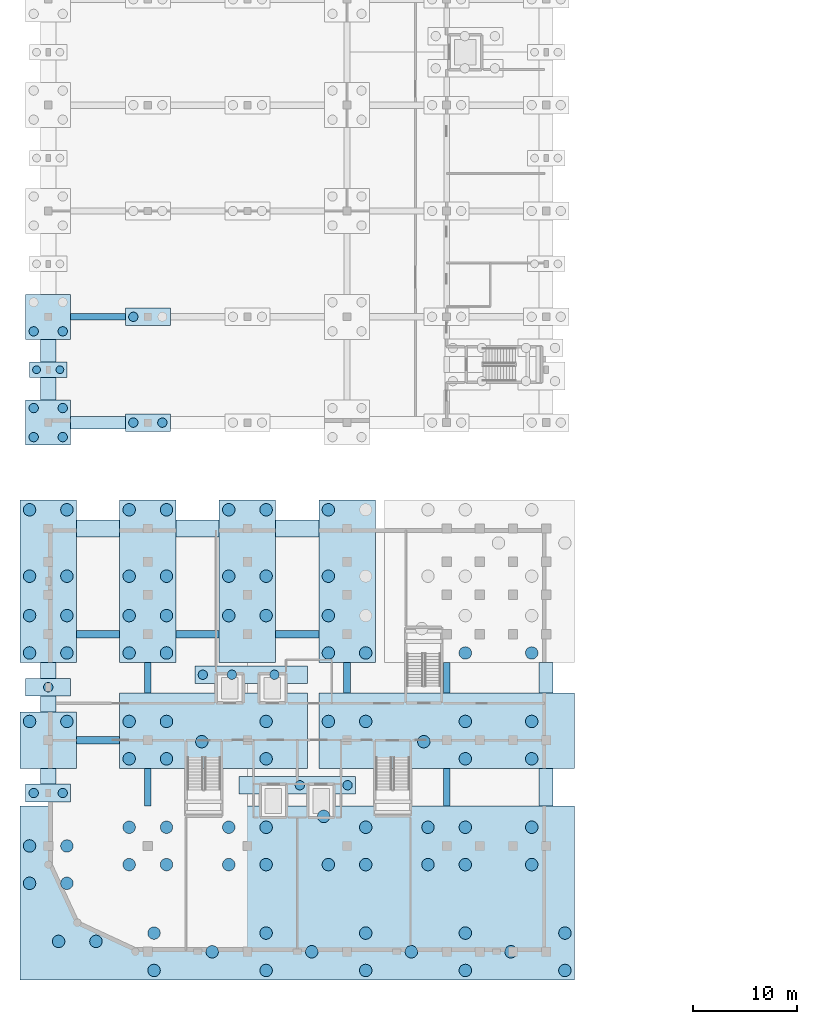
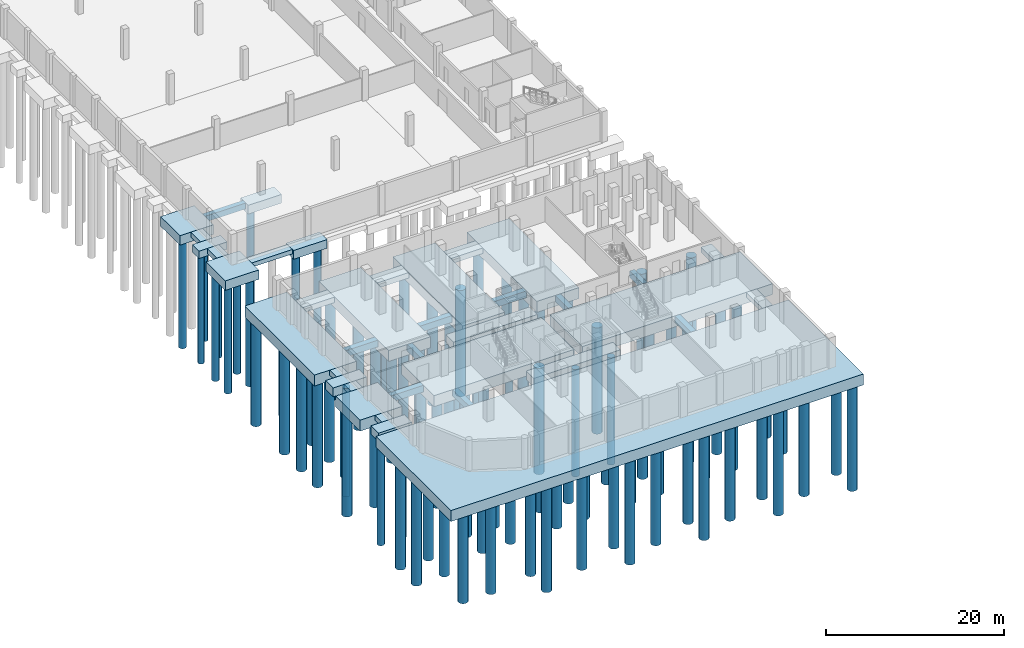
# One storey, part 1 of 18: 102 piles, 38 footings.
"""IFC4 building model written with IfcOpenShell, lengths in metres."""

from ifc_helpers import new_model, si_unit, direction, frame, origin, origin_2d, place, context, subcontext, project, spatial, polyline, rectangle, circle, outline, extrude, material, material_profile, profile_set, type_object, element, save


model = new_model("IFC4")

# Units and contexts
model_context = context("Model", 3, precision=1e-05, world=origin(), true_north=direction((0.0, 1.0)))
body_context = subcontext(model_context, "Body", "Model", "MODEL_VIEW")
ifc_project = project(units=[si_unit("LENGTHUNIT", "METRE"), si_unit("AREAUNIT", "SQUARE_METRE"), si_unit("VOLUMEUNIT", "CUBIC_METRE"), si_unit("PLANEANGLEUNIT", "RADIAN"), si_unit("MASSUNIT", "GRAM", prefix="KILO")], contexts=[model_context])

# Site, building, storey
site_placement = place(None, origin())
site = spatial("IfcSite", under=ifc_project, at=site_placement, CompositionType="ELEMENT")
building_placement = place(site_placement, origin())
building = spatial("IfcBuilding", under=site, at=building_placement, Name="Vondelvale Polytechnic", CompositionType="ELEMENT")
storey_placement = place(building_placement, frame((0.0, 0.0, -4.199951171875)))
storey = spatial("IfcBuildingStorey", under=building, at=storey_placement, Name="B1", CompositionType="ELEMENT", Elevation=-4.199951171875)

# Footings
ifc_material = material(Name="Concrete N40 (f'c = 40 MPa)", Category="concrete")
footing_type_1 = type_object("IfcFootingType", Name="GB-600x800", PredefinedType="FOOTING_BEAM", material=ifc_material)
footing_1_placement = place(storey_placement, frame((0.0, 0.0, -1.199951171875)))
element("IfcFooting", 1, at=footing_1_placement, inside=storey, type_object=footing_type_1, Name="Ground tie beam GB-001", PredefinedType="FOOTING_BEAM", context=body_context, shape_type="SweptSolid", body=[
    extrude(outline(polyline([(2.169921875, 60.89990234375), (2.169921875, 61.5), (7.429931640625, 61.5), (7.429931640625, 60.89990234375), (2.169921875, 60.89990234375)])), origin(), (0.0, 0.0, 1.0), 0.7998046875),
])
footing_type_2 = type_object("IfcFootingType", Name="GB-650x850", PredefinedType="FOOTING_BEAM", material=ifc_material)
footing_2_placement = place(storey_placement, frame((0.0, 0.0, -1.25)))
element("IfcFooting", 2, at=footing_2_placement, inside=storey, type_object=footing_type_2, Name="Ground tie beam GB-054", PredefinedType="FOOTING_BEAM", context=body_context, shape_type="SweptSolid", body=[
    extrude(outline(polyline([(9.925048828125, 14.050048828125), (9.27490234375, 14.050048828125), (9.27490234375, 17.679931640625), (9.925048828125, 17.679931640625), (9.925048828125, 14.050048828125)])), origin(), (0.0, 0.0, 1.0), 0.849853515625),
])
footing_3_placement = place(storey_placement, frame((0.0, 0.0, -1.25)))
element("IfcFooting", 3, at=footing_3_placement, inside=storey, type_object=footing_type_2, Name="Ground tie beam GB-055", PredefinedType="FOOTING_BEAM", context=body_context, shape_type="SweptSolid", body=[
    extrude(outline(polyline([(9.925048828125, 24.949951171875), (9.27490234375, 24.949951171875), (9.27490234375, 27.8798828125), (9.925048828125, 27.8798828125), (9.925048828125, 24.949951171875)])), origin(), (0.0, 0.0, 1.0), 0.849853515625),
])
footing_4_placement = place(storey_placement, frame((0.0, 0.0, -1.25)))
element("IfcFooting", 4, at=footing_4_placement, inside=storey, type_object=footing_type_2, Name="Ground tie beam GB-056", PredefinedType="FOOTING_BEAM", context=body_context, shape_type="SweptSolid", body=[
    extrude(outline(polyline([(29.125, 24.949951171875), (28.47509765625, 24.949951171875), (28.47509765625, 27.8798828125), (29.125, 27.8798828125), (29.125, 24.949951171875)])), origin(), (0.0, 0.0, 1.0), 0.849853515625),
])
footing_5_placement = place(storey_placement, frame((0.0, 0.0, -1.25)))
element("IfcFooting", 5, at=footing_5_placement, inside=storey, type_object=footing_type_2, Name="Ground tie beam GB-057", PredefinedType="FOOTING_BEAM", context=body_context, shape_type="SweptSolid", body=[
    extrude(outline(polyline([(38.72509765625, 14.050048828125), (38.074951171875, 14.050048828125), (38.074951171875, 17.679931640625), (38.72509765625, 17.679931640625), (38.72509765625, 14.050048828125)])), origin(), (0.0, 0.0, 1.0), 0.849853515625),
])
footing_6_placement = place(storey_placement, frame((0.0, 0.0, -1.25)))
element("IfcFooting", 6, at=footing_6_placement, inside=storey, type_object=footing_type_2, Name="Ground tie beam GB-058", PredefinedType="FOOTING_BEAM", context=body_context, shape_type="SweptSolid", body=[
    extrude(outline(polyline([(38.72509765625, 24.949951171875), (38.074951171875, 24.949951171875), (38.074951171875, 27.8798828125), (38.72509765625, 27.8798828125), (38.72509765625, 24.949951171875)])), origin(), (0.0, 0.0, 1.0), 0.849853515625),
])
footing_type_3 = type_object("IfcFootingType", Name="GB-700x900", PredefinedType="FOOTING_BEAM", material=ifc_material)
footing_7_placement = place(storey_placement, frame((0.0, 0.0, -1.300048828125)))
element("IfcFooting", 7, at=footing_7_placement, inside=storey, type_object=footing_type_3, Name="Ground tie beam GB-050", PredefinedType="FOOTING_BEAM", context=body_context, shape_type="SweptSolid", body=[
    extrude(outline(polyline([(2.719970703125, 20.050048828125), (2.719970703125, 20.75), (6.8798828125, 20.75), (6.8798828125, 20.050048828125), (2.719970703125, 20.050048828125)])), origin(), (0.0, 0.0, 1.0), 0.89990234375),
])
footing_8_placement = place(storey_placement, frame((0.0, 0.0, -1.300048828125)))
element("IfcFooting", 8, at=footing_8_placement, inside=storey, type_object=footing_type_3, Name="Ground tie beam GB-051", PredefinedType="FOOTING_BEAM", context=body_context, shape_type="SweptSolid", body=[
    extrude(outline(polyline([(2.719970703125, 30.25), (2.719970703125, 30.949951171875), (6.8798828125, 30.949951171875), (6.8798828125, 30.25), (2.719970703125, 30.25)])), origin(), (0.0, 0.0, 1.0), 0.89990234375),
])
footing_9_placement = place(storey_placement, frame((0.0, 0.0, -1.300048828125)))
element("IfcFooting", 9, at=footing_9_placement, inside=storey, type_object=footing_type_3, Name="Ground tie beam GB-052", PredefinedType="FOOTING_BEAM", context=body_context, shape_type="SweptSolid", body=[
    extrude(outline(polyline([(12.320068359375, 30.25), (12.320068359375, 30.949951171875), (16.47998046875, 30.949951171875), (16.47998046875, 30.25), (12.320068359375, 30.25)])), origin(), (0.0, 0.0, 1.0), 0.89990234375),
])
footing_10_placement = place(storey_placement, frame((0.0, 0.0, -1.300048828125)))
element("IfcFooting", 10, at=footing_10_placement, inside=storey, type_object=footing_type_3, Name="Ground tie beam GB-053", PredefinedType="FOOTING_BEAM", context=body_context, shape_type="SweptSolid", body=[
    extrude(outline(polyline([(21.919921875, 30.25), (21.919921875, 30.949951171875), (26.080078125, 30.949951171875), (26.080078125, 30.25), (21.919921875, 30.25)])), origin(), (0.0, 0.0, 1.0), 0.89990234375),
])
footing_type_4 = type_object("IfcFootingType", Name="PC-10840x1700x1200", PredefinedType="PILE_CAP", material=ifc_material)
footing_11_placement = place(storey_placement, frame((19.550048828125, 26.699951171875, -1.75), z_axis=(0.0, 0.0, 1.0), x_axis=(1.0, 0.0, 0.0)))
element("IfcFooting", 11, at=footing_11_placement, inside=storey, type_object=footing_type_4, Name="Pile cap PC-031", PredefinedType="PILE_CAP", context=body_context, shape_type="SweptSolid", body=[
    extrude(rectangle(XDim=10.840087890625, YDim=1.699951171875, at=origin_2d()), origin(), (0.0, 0.0, 1.0), 1.199951171875),
])
footing_type_5 = type_object("IfcFootingType", Name="PC-11240x1700x1200", PredefinedType="PILE_CAP", material=ifc_material)
footing_12_placement = place(storey_placement, frame((24.0, 16.050048828125, -1.75), z_axis=(0.0, 0.0, 1.0), x_axis=(1.0, 0.0, 0.0)))
element("IfcFooting", 12, at=footing_12_placement, inside=storey, type_object=footing_type_5, Name="Pile cap PC-041", PredefinedType="PILE_CAP", context=body_context, shape_type="SweptSolid", body=[
    extrude(rectangle(XDim=11.239990234375, YDim=1.699951171875, at=origin_2d()), origin(), (0.0, 0.0, 1.0), 1.199951171875),
])
footing_type_6 = type_object("IfcFootingType", Name="PC-15640x5440x1500", PredefinedType="PILE_CAP", material=ifc_material)
for number, where, z_axis, x_axis, name in (
    (13, (0.0, 35.699951171875, -1.900146484375), (0.0, 0.0, 1.0), (1.0, 0.0, 0.0), "Pile cap PC-005"),
    (14, (9.60009765625, 35.699951171875, -1.900146484375), (0.0, 0.0, 1.0), (1.0, 0.0, 0.0), "Pile cap PC-022"),
    (15, (19.199951171875, 35.699951171875, -1.900146484375), (0.0, 0.0, 1.0), (1.0, 0.0, 0.0), "Pile cap PC-032"),
    (16, (28.800048828125, 35.699951171875, -1.900146484375), (0.0, 0.0, 1.0), (1.0, 0.0, 0.0), "Pile cap PC-043"),
):
    element("IfcFooting", number, at=place(storey_placement, frame(where, z_axis=z_axis, x_axis=x_axis)), inside=storey, type_object=footing_type_6, Name=name, PredefinedType="PILE_CAP", context=body_context, shape_type="SweptSolid", body=[
        extrude(rectangle(XDim=5.43994140625, YDim=15.639892578125, at=origin_2d()), origin(), (0.0, 0.0, 1.0), 1.5),
    ])
footing_type_7 = type_object("IfcFootingType", Name="PC-18090x7270x1500", PredefinedType="PILE_CAP", material=ifc_material)
footing_13_placement = place(storey_placement, frame((15.925048828125, 21.31494140625, -1.900146484375), z_axis=(0.0, 0.0, 1.0), x_axis=(1.0, 0.0, 0.0)))
element("IfcFooting", 17, at=footing_13_placement, inside=storey, type_object=footing_type_7, Name="Pile cap PC-021", PredefinedType="PILE_CAP", context=body_context, shape_type="SweptSolid", body=[
    extrude(rectangle(XDim=18.090087890625, YDim=7.27001953125, at=origin_2d()), origin(), (0.0, 0.0, 1.0), 1.5),
])
footing_type_8 = type_object("IfcFootingType", Name="PC-24640x7270x1500", PredefinedType="PILE_CAP", material=ifc_material)
footing_14_placement = place(storey_placement, frame((38.39990234375, 21.31494140625, -1.900146484375), z_axis=(0.0, 0.0, 1.0), x_axis=(1.0, 0.0, 0.0)))
element("IfcFooting", 18, at=footing_14_placement, inside=storey, type_object=footing_type_8, Name="Pile cap PC-042", PredefinedType="PILE_CAP", context=body_context, shape_type="SweptSolid", body=[
    extrude(rectangle(XDim=24.639892578125, YDim=7.27001953125, at=origin_2d()), origin(), (0.0, 0.0, 1.0), 1.5),
])
footing_type_9 = type_object("IfcFootingType", Name="PC-3640x1500x1000", PredefinedType="PILE_CAP", material=ifc_material)
footing_15_placement = place(storey_placement, frame((0.0, 56.10009765625, -1.400146484375), z_axis=(0.0, 0.0, 1.0), x_axis=(1.0, 0.0, 0.0)))
element("IfcFooting", 19, at=footing_15_placement, inside=storey, type_object=footing_type_9, Name="Pile cap PC-007", PredefinedType="PILE_CAP", context=body_context, shape_type="SweptSolid", body=[
    extrude(rectangle(XDim=3.639892578125, YDim=1.5, at=origin_2d()), origin(), (0.0, 0.0, 1.0), 1.0),
])
footing_type_10 = type_object("IfcFootingType", Name="PC-4340x1700x1200", PredefinedType="PILE_CAP", material=ifc_material)
for number, where, z_axis, x_axis, name in (
    (20, (0.0, 15.300048828125, -1.60009765625), (0.0, 0.0, 1.0), (1.0, 0.0, 0.0), "Pile cap PC-002"),
    (21, (0.0, 25.5, -1.60009765625), (0.0, 0.0, 1.0), (1.0, 0.0, 0.0), "Pile cap PC-004"),
    (22, (9.60009765625, 51.0, -1.60009765625), (0.0, 0.0, 1.0), (1.0, 0.0, 0.0), "Pile cap PC-023"),
    (23, (9.60009765625, 61.199951171875, -1.60009765625), (0.0, 0.0, 1.0), (1.0, 0.0, 0.0), "Pile cap PC-024"),
):
    element("IfcFooting", number, at=place(storey_placement, frame(where, z_axis=z_axis, x_axis=x_axis)), inside=storey, type_object=footing_type_10, Name=name, PredefinedType="PILE_CAP", context=body_context, shape_type="SweptSolid", body=[
        extrude(rectangle(XDim=4.340087890625, YDim=1.699951171875, at=origin_2d()), origin(), (0.0, 0.0, 1.0), 1.199951171875),
    ])
footing_type_11 = type_object("IfcFootingType", Name="PC-4340x4340x1300", PredefinedType="PILE_CAP", material=ifc_material)
for number, where, z_axis, x_axis, name in (
    (24, (0.0, 51.0, -1.7001953125), (0.0, 0.0, 1.0), (1.0, 0.0, 0.0), "Pile cap PC-006"),
    (25, (0.0, 61.199951171875, -1.7001953125), (0.0, 0.0, 1.0), (1.0, 0.0, 0.0), "Pile cap PC-008"),
):
    element("IfcFooting", number, at=place(storey_placement, frame(where, z_axis=z_axis, x_axis=x_axis)), inside=storey, type_object=footing_type_11, Name=name, PredefinedType="PILE_CAP", context=body_context, shape_type="SweptSolid", body=[
        extrude(rectangle(XDim=4.340087890625, YDim=4.340087890625, at=origin_2d()), origin(), (0.0, 0.0, 1.0), 1.300048828125),
    ])
footing_type_12 = type_object("IfcFootingType", Name="PC-53440x16770x1500", PredefinedType="PILE_CAP", material=ifc_material)
footing_16_placement = place(storey_placement, frame((24.0, 5.6650390625, -1.900146484375), z_axis=(0.0, 0.0, 1.0), x_axis=(1.0, 0.0, 0.0)))
element("IfcFooting", 26, at=footing_16_placement, inside=storey, type_object=footing_type_12, Name="Pile cap PC-001", PredefinedType="PILE_CAP", context=body_context, shape_type="SweptSolid", body=[
    extrude(rectangle(XDim=53.43994140625, YDim=16.77001953125, at=origin_2d()), origin(), (0.0, 0.0, 1.0), 1.5),
])
footing_type_13 = type_object("IfcFootingType", Name="PC-5440x5440x1500", PredefinedType="PILE_CAP", material=ifc_material)
footing_17_placement = place(storey_placement, frame((0.0, 20.39990234375, -1.900146484375), z_axis=(0.0, 0.0, 1.0), x_axis=(1.0, 0.0, 0.0)))
element("IfcFooting", 27, at=footing_17_placement, inside=storey, type_object=footing_type_13, Name="Pile cap PC-003", PredefinedType="PILE_CAP", context=body_context, shape_type="SweptSolid", body=[
    extrude(rectangle(XDim=5.43994140625, YDim=5.43994140625, at=origin_2d()), origin(), (0.0, 0.0, 1.0), 1.5),
])

# Piles
ifc_material_profile_1 = material_profile(ifc_material, circle(Radius=0.60009765625, at=origin_2d()), Name="PILE-D1200")
ifc_profile_set_1 = profile_set([ifc_material_profile_1], Name="Concrete N40 (f'c = 40 MPa)")
pile_type_1 = type_object("IfcPileType", Name="PILE-BORED-1200", PredefinedType="BORED", material=ifc_profile_set_1)
for number, where, z_axis, x_axis, name in (
    (28, (-1.800048828125, 6.60009765625, -1.75), (0.0, 0.0, -1.0), (1.0, 0.0, 0.0), "Bored pile BP-1200-001-1"),
    (29, (1.800048828125, 6.60009765625, -1.75), (0.0, 0.0, -1.0), (1.0, 0.0, 0.0), "Bored pile BP-1200-001-2"),
    (30, (-1.800048828125, 10.199951171875, -1.75), (0.0, 0.0, -1.0), (1.0, 0.0, 0.0), "Bored pile BP-1200-001-3"),
    (31, (1.800048828125, 10.199951171875, -1.75), (0.0, 0.0, -1.0), (1.0, 0.0, 0.0), "Bored pile BP-1200-001-4"),
    (32, (1.0, 1.0, -1.75), (0.0, 0.0, -1.0), (1.0, 0.0, 0.0), "Bored pile BP-1200-001-5"),
    (33, (4.60009765625, 1.0, -1.75), (0.0, 0.0, -1.0), (1.0, 0.0, 0.0), "Bored pile BP-1200-001-6"),
    (34, (10.199951171875, -1.800048828125, -1.75), (0.0, 0.0, -1.0), (1.0, 0.0, 0.0), "Bored pile BP-1200-001-7"),
    (35, (10.199951171875, 1.800048828125, -1.75), (0.0, 0.0, -1.0), (1.0, 0.0, 0.0), "Bored pile BP-1200-001-8"),
    (36, (7.800048828125, 8.39990234375, -1.75), (0.0, 0.0, -1.0), (1.0, 0.0, 0.0), "Bored pile BP-1200-001-9"),
    (37, (11.39990234375, 8.39990234375, -1.75), (0.0, 0.0, -1.0), (1.0, 0.0, 0.0), "Bored pile BP-1200-001-10"),
    (38, (7.800048828125, 12.0, -1.75), (0.0, 0.0, -1.0), (1.0, 0.0, 0.0), "Bored pile BP-1200-001-11"),
    (39, (11.39990234375, 12.0, -1.75), (0.0, 0.0, -1.0), (1.0, 0.0, 0.0), "Bored pile BP-1200-001-12"),
    (40, (15.800048828125, 0.0, -1.75), (0.0, 0.0, -1.0), (1.0, 0.0, 0.0), "Bored pile BP-1200-001-13"),
    (41, (21.0, -1.800048828125, -1.75), (0.0, 0.0, -1.0), (1.0, 0.0, 0.0), "Bored pile BP-1200-001-14"),
    (42, (21.0, 1.800048828125, -1.75), (0.0, 0.0, -1.0), (1.0, 0.0, 0.0), "Bored pile BP-1200-001-15"),
    (43, (17.39990234375, 8.39990234375, -1.75), (0.0, 0.0, -1.0), (1.0, 0.0, 0.0), "Bored pile BP-1200-001-16"),
    (44, (21.0, 8.39990234375, -1.75), (0.0, 0.0, -1.0), (1.0, 0.0, 0.0), "Bored pile BP-1200-001-17"),
    (45, (17.39990234375, 12.0, -1.75), (0.0, 0.0, -1.0), (1.0, 0.0, 0.0), "Bored pile BP-1200-001-18"),
    (46, (21.0, 12.0, -1.75), (0.0, 0.0, -1.0), (1.0, 0.0, 0.0), "Bored pile BP-1200-001-19"),
    (47, (25.39990234375, 0.0, -1.75), (0.0, 0.0, -1.0), (1.0, 0.0, 0.0), "Bored pile BP-1200-001-20"),
    (48, (26.550048828125, 13.050048828125, -1.75), (0.0, 0.0, -1.0), (1.0, 0.0, 0.0), "Bored pile BP-1200-001-21"),
    (49, (30.60009765625, -1.800048828125, -1.75), (0.0, 0.0, -1.0), (1.0, 0.0, 0.0), "Bored pile BP-1200-001-22"),
    (50, (30.60009765625, 1.800048828125, -1.75), (0.0, 0.0, -1.0), (1.0, 0.0, 0.0), "Bored pile BP-1200-001-23"),
    (51, (27.0, 8.39990234375, -1.75), (0.0, 0.0, -1.0), (1.0, 0.0, 0.0), "Bored pile BP-1200-001-24"),
    (52, (30.60009765625, 8.39990234375, -1.75), (0.0, 0.0, -1.0), (1.0, 0.0, 0.0), "Bored pile BP-1200-001-25"),
    (53, (30.60009765625, 12.0, -1.75), (0.0, 0.0, -1.0), (1.0, 0.0, 0.0), "Bored pile BP-1200-001-26"),
    (54, (35.0, 0.0, -1.75), (0.0, 0.0, -1.0), (1.0, 0.0, 0.0), "Bored pile BP-1200-001-27"),
    (55, (40.199951171875, -1.800048828125, -1.75), (0.0, 0.0, -1.0), (1.0, 0.0, 0.0), "Bored pile BP-1200-001-28"),
    (56, (40.199951171875, 1.800048828125, -1.75), (0.0, 0.0, -1.0), (1.0, 0.0, 0.0), "Bored pile BP-1200-001-29"),
    (57, (36.60009765625, 8.39990234375, -1.75), (0.0, 0.0, -1.0), (1.0, 0.0, 0.0), "Bored pile BP-1200-001-30"),
    (58, (40.199951171875, 8.39990234375, -1.75), (0.0, 0.0, -1.0), (1.0, 0.0, 0.0), "Bored pile BP-1200-001-31"),
    (59, (36.60009765625, 12.0, -1.75), (0.0, 0.0, -1.0), (1.0, 0.0, 0.0), "Bored pile BP-1200-001-32"),
    (60, (40.199951171875, 12.0, -1.75), (0.0, 0.0, -1.0), (1.0, 0.0, 0.0), "Bored pile BP-1200-001-33"),
    (61, (44.60009765625, 0.0, -1.75), (0.0, 0.0, -1.0), (1.0, 0.0, 0.0), "Bored pile BP-1200-001-34"),
    (62, (46.60009765625, 8.39990234375, -1.75), (0.0, 0.0, -1.0), (1.0, 0.0, 0.0), "Bored pile BP-1200-001-35"),
    (63, (46.60009765625, 12.0, -1.75), (0.0, 0.0, -1.0), (1.0, 0.0, 0.0), "Bored pile BP-1200-001-36"),
    (64, (49.800048828125, -1.800048828125, -1.75), (0.0, 0.0, -1.0), (1.0, 0.0, 0.0), "Bored pile BP-1200-001-37"),
    (65, (49.800048828125, 1.800048828125, -1.75), (0.0, 0.0, -1.0), (1.0, 0.0, 0.0), "Bored pile BP-1200-001-38"),
    (66, (-1.800048828125, 22.199951171875, -1.75), (0.0, 0.0, -1.0), (1.0, 0.0, 0.0), "Bored pile BP-1200-003-1"),
    (67, (1.800048828125, 22.199951171875, -1.75), (0.0, 0.0, -1.0), (1.0, 0.0, 0.0), "Bored pile BP-1200-003-2"),
    (68, (-1.800048828125, 28.800048828125, -1.75), (0.0, 0.0, -1.0), (1.0, 0.0, 0.0), "Bored pile BP-1200-005-1"),
    (69, (1.800048828125, 28.800048828125, -1.75), (0.0, 0.0, -1.0), (1.0, 0.0, 0.0), "Bored pile BP-1200-005-2"),
    (70, (-1.800048828125, 32.39990234375, -1.75), (0.0, 0.0, -1.0), (1.0, 0.0, 0.0), "Bored pile BP-1200-005-3"),
    (71, (1.800048828125, 32.39990234375, -1.75), (0.0, 0.0, -1.0), (1.0, 0.0, 0.0), "Bored pile BP-1200-005-4"),
    (72, (-1.800048828125, 36.199951171875, -1.75), (0.0, 0.0, -1.0), (1.0, 0.0, 0.0), "Bored pile BP-1200-005-5"),
    (73, (1.800048828125, 36.199951171875, -1.75), (0.0, 0.0, -1.0), (1.0, 0.0, 0.0), "Bored pile BP-1200-005-6"),
    (74, (-1.800048828125, 42.60009765625, -1.75), (0.0, 0.0, -1.0), (1.0, 0.0, 0.0), "Bored pile BP-1200-005-7"),
    (75, (1.800048828125, 42.60009765625, -1.75), (0.0, 0.0, -1.0), (1.0, 0.0, 0.0), "Bored pile BP-1200-005-8"),
    (76, (7.800048828125, 18.60009765625, -1.75), (0.0, 0.0, -1.0), (1.0, 0.0, 0.0), "Bored pile BP-1200-021-1"),
    (77, (11.39990234375, 18.60009765625, -1.75), (0.0, 0.0, -1.0), (1.0, 0.0, 0.0), "Bored pile BP-1200-021-2"),
    (78, (7.800048828125, 22.199951171875, -1.75), (0.0, 0.0, -1.0), (1.0, 0.0, 0.0), "Bored pile BP-1200-021-3"),
    (79, (11.39990234375, 22.199951171875, -1.75), (0.0, 0.0, -1.0), (1.0, 0.0, 0.0), "Bored pile BP-1200-021-4"),
    (80, (14.800048828125, 20.25, -1.75), (0.0, 0.0, -1.0), (1.0, 0.0, 0.0), "Bored pile BP-1200-021-5"),
    (81, (21.0, 18.60009765625, -1.75), (0.0, 0.0, -1.0), (1.0, 0.0, 0.0), "Bored pile BP-1200-021-6"),
    (82, (21.0, 22.199951171875, -1.75), (0.0, 0.0, -1.0), (1.0, 0.0, 0.0), "Bored pile BP-1200-021-7"),
    (83, (7.800048828125, 28.800048828125, -1.75), (0.0, 0.0, -1.0), (1.0, 0.0, 0.0), "Bored pile BP-1200-022-1"),
    (84, (11.39990234375, 28.800048828125, -1.75), (0.0, 0.0, -1.0), (1.0, 0.0, 0.0), "Bored pile BP-1200-022-2"),
    (85, (7.800048828125, 32.39990234375, -1.75), (0.0, 0.0, -1.0), (1.0, 0.0, 0.0), "Bored pile BP-1200-022-3"),
    (86, (11.39990234375, 32.39990234375, -1.75), (0.0, 0.0, -1.0), (1.0, 0.0, 0.0), "Bored pile BP-1200-022-4"),
    (87, (7.800048828125, 36.199951171875, -1.75), (0.0, 0.0, -1.0), (1.0, 0.0, 0.0), "Bored pile BP-1200-022-5"),
    (88, (11.39990234375, 36.199951171875, -1.75), (0.0, 0.0, -1.0), (1.0, 0.0, 0.0), "Bored pile BP-1200-022-6"),
    (89, (7.800048828125, 42.60009765625, -1.75), (0.0, 0.0, -1.0), (1.0, 0.0, 0.0), "Bored pile BP-1200-022-7"),
    (90, (11.39990234375, 42.60009765625, -1.75), (0.0, 0.0, -1.0), (1.0, 0.0, 0.0), "Bored pile BP-1200-022-8"),
    (91, (17.39990234375, 32.39990234375, -1.75), (0.0, 0.0, -1.0), (1.0, 0.0, 0.0), "Bored pile BP-1200-032-1"),
    (92, (21.0, 32.39990234375, -1.75), (0.0, 0.0, -1.0), (1.0, 0.0, 0.0), "Bored pile BP-1200-032-2"),
    (93, (17.39990234375, 36.199951171875, -1.75), (0.0, 0.0, -1.0), (1.0, 0.0, 0.0), "Bored pile BP-1200-032-3"),
    (94, (21.0, 36.199951171875, -1.75), (0.0, 0.0, -1.0), (1.0, 0.0, 0.0), "Bored pile BP-1200-032-4"),
    (95, (17.39990234375, 42.60009765625, -1.75), (0.0, 0.0, -1.0), (1.0, 0.0, 0.0), "Bored pile BP-1200-032-5"),
    (96, (21.0, 42.60009765625, -1.75), (0.0, 0.0, -1.0), (1.0, 0.0, 0.0), "Bored pile BP-1200-032-6"),
    (97, (27.0, 22.199951171875, -1.75), (0.0, 0.0, -1.0), (1.0, 0.0, 0.0), "Bored pile BP-1200-042-1"),
    (98, (30.60009765625, 22.199951171875, -1.75), (0.0, 0.0, -1.0), (1.0, 0.0, 0.0), "Bored pile BP-1200-042-2"),
    (99, (36.199951171875, 20.25, -1.75), (0.0, 0.0, -1.0), (1.0, 0.0, 0.0), "Bored pile BP-1200-042-3"),
    (100, (40.199951171875, 18.60009765625, -1.75), (0.0, 0.0, -1.0), (1.0, 0.0, 0.0), "Bored pile BP-1200-042-4"),
    (101, (40.199951171875, 22.199951171875, -1.75), (0.0, 0.0, -1.0), (1.0, 0.0, 0.0), "Bored pile BP-1200-042-5"),
    (102, (46.60009765625, 18.60009765625, -1.75), (0.0, 0.0, -1.0), (1.0, 0.0, 0.0), "Bored pile BP-1200-042-6"),
    (103, (46.60009765625, 22.199951171875, -1.75), (0.0, 0.0, -1.0), (1.0, 0.0, 0.0), "Bored pile BP-1200-042-7"),
    (104, (27.0, 28.800048828125, -1.75), (0.0, 0.0, -1.0), (1.0, 0.0, 0.0), "Bored pile BP-1200-043-1"),
    (105, (30.60009765625, 28.800048828125, -1.75), (0.0, 0.0, -1.0), (1.0, 0.0, 0.0), "Bored pile BP-1200-043-2"),
    (106, (27.0, 32.39990234375, -1.75), (0.0, 0.0, -1.0), (1.0, 0.0, 0.0), "Bored pile BP-1200-043-3"),
    (107, (27.0, 36.199951171875, -1.75), (0.0, 0.0, -1.0), (1.0, 0.0, 0.0), "Bored pile BP-1200-043-5"),
    (108, (27.0, 42.60009765625, -1.75), (0.0, 0.0, -1.0), (1.0, 0.0, 0.0), "Bored pile BP-1200-043-7"),
    (109, (40.199951171875, 28.800048828125, -1.75), (0.0, 0.0, -1.0), (1.0, 0.0, 0.0), "Bored pile BP-1200-052-2"),
    (110, (46.60009765625, 28.800048828125, -1.75), (0.0, 0.0, -1.0), (1.0, 0.0, 0.0), "Bored pile BP-1200-052-9"),
):
    element("IfcPile", number, at=place(storey_placement, frame(where, z_axis=z_axis, x_axis=x_axis)), inside=storey, type_object=pile_type_1, Name=name, PredefinedType="BORED", context=body_context, shape_type="SweptSolid", body=[
        extrude(circle(Radius=0.60009765625, at=origin_2d()), origin(), (0.0, 0.0, 1.0), 14.550048828125),
    ])
ifc_material_profile_2 = material_profile(ifc_material, circle(Radius=0.375, at=origin_2d()), Name="PILE-D750")
ifc_profile_set_2 = profile_set([ifc_material_profile_2], Name="Concrete N40 (f'c = 40 MPa)")
pile_type_2 = type_object("IfcPileType", Name="PILE-BORED-750", PredefinedType="BORED", material=ifc_profile_set_2)
for number, where, z_axis, x_axis, name in (
    (111, (-1.125, 56.10009765625, -1.25), (0.0, 0.0, -1.0), (1.0, 0.0, 0.0), "Bored pile BP-750-007-1"),
    (112, (1.125, 56.10009765625, -1.25), (0.0, 0.0, -1.0), (1.0, 0.0, 0.0), "Bored pile BP-750-007-2"),
):
    element("IfcPile", number, at=place(storey_placement, frame(where, z_axis=z_axis, x_axis=x_axis)), inside=storey, type_object=pile_type_2, Name=name, PredefinedType="BORED", context=body_context, shape_type="SweptSolid", body=[
        extrude(circle(Radius=0.375, at=origin_2d()), origin(), (0.0, 0.0, 1.0), 15.050048828125),
    ])
ifc_material_profile_3 = material_profile(ifc_material, circle(Radius=0.449951171875, at=origin_2d()), Name="PILE-D900")
ifc_profile_set_3 = profile_set([ifc_material_profile_3], Name="Concrete N40 (f'c = 40 MPa)")
pile_type_3 = type_object("IfcPileType", Name="PILE-BORED-900", PredefinedType="BORED", material=ifc_profile_set_3)
for number, where, z_axis, x_axis, name in (
    (113, (-1.39990234375, 15.300048828125, -1.449951171875), (0.0, 0.0, -1.0), (1.0, 0.0, 0.0), "Bored pile BP-900-002-1"),
    (114, (1.39990234375, 15.300048828125, -1.449951171875), (0.0, 0.0, -1.0), (1.0, 0.0, 0.0), "Bored pile BP-900-002-2"),
    (115, (0.0, 25.5, -1.449951171875), (0.0, 0.0, -1.0), (1.0, 0.0, 0.0), "Bored pile BP-900-004-1"),
):
    element("IfcPile", number, at=place(storey_placement, frame(where, z_axis=z_axis, x_axis=x_axis)), inside=storey, type_object=pile_type_3, Name=name, PredefinedType="BORED", context=body_context, shape_type="SweptSolid", body=[
        extrude(circle(Radius=0.449951171875, at=origin_2d()), origin(), (0.0, 0.0, 1.0), 14.85009765625),
    ])
for number, where, z_axis, x_axis, name in (
    (116, (-1.39990234375, 49.60009765625, -1.550048828125), (0.0, 0.0, -1.0), (1.0, 0.0, 0.0), "Bored pile BP-900-006-1"),
    (117, (1.39990234375, 49.60009765625, -1.550048828125), (0.0, 0.0, -1.0), (1.0, 0.0, 0.0), "Bored pile BP-900-006-2"),
    (118, (-1.39990234375, 52.39990234375, -1.550048828125), (0.0, 0.0, -1.0), (1.0, 0.0, 0.0), "Bored pile BP-900-006-3"),
    (119, (1.39990234375, 52.39990234375, -1.550048828125), (0.0, 0.0, -1.0), (1.0, 0.0, 0.0), "Bored pile BP-900-006-4"),
    (120, (-1.39990234375, 59.800048828125, -1.550048828125), (0.0, 0.0, -1.0), (1.0, 0.0, 0.0), "Bored pile BP-900-008-1"),
    (121, (1.39990234375, 59.800048828125, -1.550048828125), (0.0, 0.0, -1.0), (1.0, 0.0, 0.0), "Bored pile BP-900-008-2"),
):
    element("IfcPile", number, at=place(storey_placement, frame(where, z_axis=z_axis, x_axis=x_axis)), inside=storey, type_object=pile_type_3, Name=name, PredefinedType="BORED", context=body_context, shape_type="SweptSolid", body=[
        extrude(circle(Radius=0.449951171875, at=origin_2d()), origin(), (0.0, 0.0, 1.0), 14.75),
    ])
for number, where, z_axis, x_axis, name in (
    (122, (8.199951171875, 51.0, -1.449951171875), (0.0, 0.0, -1.0), (1.0, 0.0, 0.0), "Bored pile BP-900-023-1"),
    (123, (11.0, 51.0, -1.449951171875), (0.0, 0.0, -1.0), (1.0, 0.0, 0.0), "Bored pile BP-900-023-2"),
    (124, (8.199951171875, 61.199951171875, -1.449951171875), (0.0, 0.0, -1.0), (1.0, 0.0, 0.0), "Bored pile BP-900-024-1"),
):
    element("IfcPile", number, at=place(storey_placement, frame(where, z_axis=z_axis, x_axis=x_axis)), inside=storey, type_object=pile_type_3, Name=name, PredefinedType="BORED", context=body_context, shape_type="SweptSolid", body=[
        extrude(circle(Radius=0.449951171875, at=origin_2d()), origin(), (0.0, 0.0, 1.0), 14.85009765625),
    ])
for number, where, z_axis, x_axis, name in (
    (125, (14.89990234375, 26.699951171875, -1.60009765625), (0.0, 0.0, -1.0), (1.0, 0.0, 0.0), "Bored pile BP-900-031-1"),
    (126, (17.699951171875, 26.699951171875, -1.60009765625), (0.0, 0.0, -1.0), (1.0, 0.0, 0.0), "Bored pile BP-900-031-2"),
    (127, (21.800048828125, 26.699951171875, -1.60009765625), (0.0, 0.0, -1.0), (1.0, 0.0, 0.0), "Bored pile BP-900-031-3"),
    (128, (24.25, 16.050048828125, -1.60009765625), (0.0, 0.0, -1.0), (1.0, 0.0, 0.0), "Bored pile BP-900-041-1"),
    (129, (28.85009765625, 16.050048828125, -1.60009765625), (0.0, 0.0, -1.0), (1.0, 0.0, 0.0), "Bored pile BP-900-041-2"),
):
    element("IfcPile", number, at=place(storey_placement, frame(where, z_axis=z_axis, x_axis=x_axis)), inside=storey, type_object=pile_type_3, Name=name, PredefinedType="BORED", context=body_context, shape_type="SweptSolid", body=[
        extrude(circle(Radius=0.449951171875, at=origin_2d()), origin(), (0.0, 0.0, 1.0), 14.699951171875),
    ])

# Footings
footing_type_14 = type_object("IfcFootingType", Name="SF-1200x600", PredefinedType="STRIP_FOOTING", material=ifc_material)
footing_18_placement = place(storey_placement, frame((0.0, 0.0, -1.0)))
element("IfcFooting", 130, at=footing_18_placement, inside=storey, type_object=footing_type_14, Name="B1 continuous strip footing SF-030", PredefinedType="STRIP_FOOTING", context=body_context, shape_type="SweptSolid", body=[
    extrude(outline(polyline([(2.169921875, 50.39990234375), (2.169921875, 51.60009765625), (7.429931640625, 51.60009765625), (7.429931640625, 50.39990234375), (2.169921875, 50.39990234375)])), origin(), (0.0, 0.0, 1.0), 0.599853515625),
])
footing_type_15 = type_object("IfcFootingType", Name="SF-1350x650", PredefinedType="STRIP_FOOTING", material=ifc_material)
footing_19_placement = place(storey_placement, frame((0.0, 0.0, -1.050048828125)))
element("IfcFooting", 131, at=footing_19_placement, inside=storey, type_object=footing_type_15, Name="B1 continuous strip footing SF-042", PredefinedType="STRIP_FOOTING", context=body_context, shape_type="SweptSolid", body=[
    extrude(outline(polyline([(48.675048828125, 14.050048828125), (47.324951171875, 14.050048828125), (47.324951171875, 17.679931640625), (48.675048828125, 17.679931640625), (48.675048828125, 14.050048828125)])), origin(), (0.0, 0.0, 1.0), 0.64990234375),
])
footing_20_placement = place(storey_placement, frame((0.0, 0.0, -1.050048828125)))
element("IfcFooting", 132, at=footing_20_placement, inside=storey, type_object=footing_type_15, Name="B1 continuous strip footing SF-043", PredefinedType="STRIP_FOOTING", context=body_context, shape_type="SweptSolid", body=[
    extrude(outline(polyline([(48.675048828125, 24.949951171875), (47.324951171875, 24.949951171875), (47.324951171875, 27.8798828125), (48.675048828125, 27.8798828125), (48.675048828125, 24.949951171875)])), origin(), (0.0, 0.0, 1.0), 0.64990234375),
])
footing_type_16 = type_object("IfcFootingType", Name="SF-1500x700", PredefinedType="STRIP_FOOTING", material=ifc_material)
footing_21_placement = place(storey_placement, frame((0.0, 0.0, -1.10009765625)))
element("IfcFooting", 133, at=footing_21_placement, inside=storey, type_object=footing_type_16, Name="B1 continuous strip footing SF-001", PredefinedType="STRIP_FOOTING", context=body_context, shape_type="SweptSolid", body=[
    extrude(outline(polyline([(0.75, 53.169921875), (-0.75, 53.169921875), (-0.75, 55.35009765625), (0.75, 55.35009765625), (0.75, 53.169921875)])), origin(), (0.0, 0.0, 1.0), 0.699951171875),
])
footing_22_placement = place(storey_placement, frame((0.0, 0.0, -1.10009765625)))
element("IfcFooting", 134, at=footing_22_placement, inside=storey, type_object=footing_type_16, Name="B1 continuous strip footing SF-002", PredefinedType="STRIP_FOOTING", context=body_context, shape_type="SweptSolid", body=[
    extrude(outline(polyline([(0.75, 56.85009765625), (-0.75, 56.85009765625), (-0.75, 59.030029296875), (0.75, 59.030029296875), (0.75, 56.85009765625)])), origin(), (0.0, 0.0, 1.0), 0.699951171875),
])
footing_23_placement = place(storey_placement, frame((0.0, 0.0, -1.10009765625)))
element("IfcFooting", 135, at=footing_23_placement, inside=storey, type_object=footing_type_16, Name="B1 continuous strip footing SF-039", PredefinedType="STRIP_FOOTING", context=body_context, shape_type="SweptSolid", body=[
    extrude(outline(polyline([(0.75, 16.14990234375), (-0.75, 16.14990234375), (-0.75, 17.679931640625), (0.75, 17.679931640625), (0.75, 16.14990234375)])), origin(), (0.0, 0.0, 1.0), 0.699951171875),
])
footing_24_placement = place(storey_placement, frame((0.0, 0.0, -1.10009765625)))
element("IfcFooting", 136, at=footing_24_placement, inside=storey, type_object=footing_type_16, Name="B1 continuous strip footing SF-040", PredefinedType="STRIP_FOOTING", context=body_context, shape_type="SweptSolid", body=[
    extrude(outline(polyline([(0.75, 23.1201171875), (-0.75, 23.1201171875), (-0.75, 24.64990234375), (0.75, 24.64990234375), (0.75, 23.1201171875)])), origin(), (0.0, 0.0, 1.0), 0.699951171875),
])
footing_25_placement = place(storey_placement, frame((0.0, 0.0, -1.10009765625)))
element("IfcFooting", 137, at=footing_25_placement, inside=storey, type_object=footing_type_16, Name="B1 continuous strip footing SF-041", PredefinedType="STRIP_FOOTING", context=body_context, shape_type="SweptSolid", body=[
    extrude(outline(polyline([(0.75, 26.35009765625), (-0.75, 26.35009765625), (-0.75, 27.8798828125), (0.75, 27.8798828125), (0.75, 26.35009765625)])), origin(), (0.0, 0.0, 1.0), 0.699951171875),
])
footing_type_17 = type_object("IfcFootingType", Name="SF-1650x750", PredefinedType="STRIP_FOOTING", material=ifc_material)
footing_26_placement = place(storey_placement, frame((0.0, 0.0, -1.150146484375)))
element("IfcFooting", 138, at=footing_26_placement, inside=storey, type_object=footing_type_17, Name="B1 continuous strip footing SF-044", PredefinedType="STRIP_FOOTING", context=body_context, shape_type="SweptSolid", body=[
    extrude(outline(polyline([(2.719970703125, 39.97509765625), (2.719970703125, 41.625), (6.8798828125, 41.625), (6.8798828125, 39.97509765625), (2.719970703125, 39.97509765625)])), origin(), (0.0, 0.0, 1.0), 0.75),
])
footing_27_placement = place(storey_placement, frame((0.0, 0.0, -1.150146484375)))
element("IfcFooting", 139, at=footing_27_placement, inside=storey, type_object=footing_type_17, Name="B1 continuous strip footing SF-045", PredefinedType="STRIP_FOOTING", context=body_context, shape_type="SweptSolid", body=[
    extrude(outline(polyline([(12.320068359375, 39.97509765625), (12.320068359375, 41.625), (16.47998046875, 41.625), (16.47998046875, 39.97509765625), (12.320068359375, 39.97509765625)])), origin(), (0.0, 0.0, 1.0), 0.75),
])
footing_28_placement = place(storey_placement, frame((0.0, 0.0, -1.150146484375)))
element("IfcFooting", 140, at=footing_28_placement, inside=storey, type_object=footing_type_17, Name="B1 continuous strip footing SF-046", PredefinedType="STRIP_FOOTING", context=body_context, shape_type="SweptSolid", body=[
    extrude(outline(polyline([(21.919921875, 39.97509765625), (21.919921875, 41.625), (26.080078125, 41.625), (26.080078125, 39.97509765625), (21.919921875, 39.97509765625)])), origin(), (0.0, 0.0, 1.0), 0.75),
])

save(model, "model.ifc")
